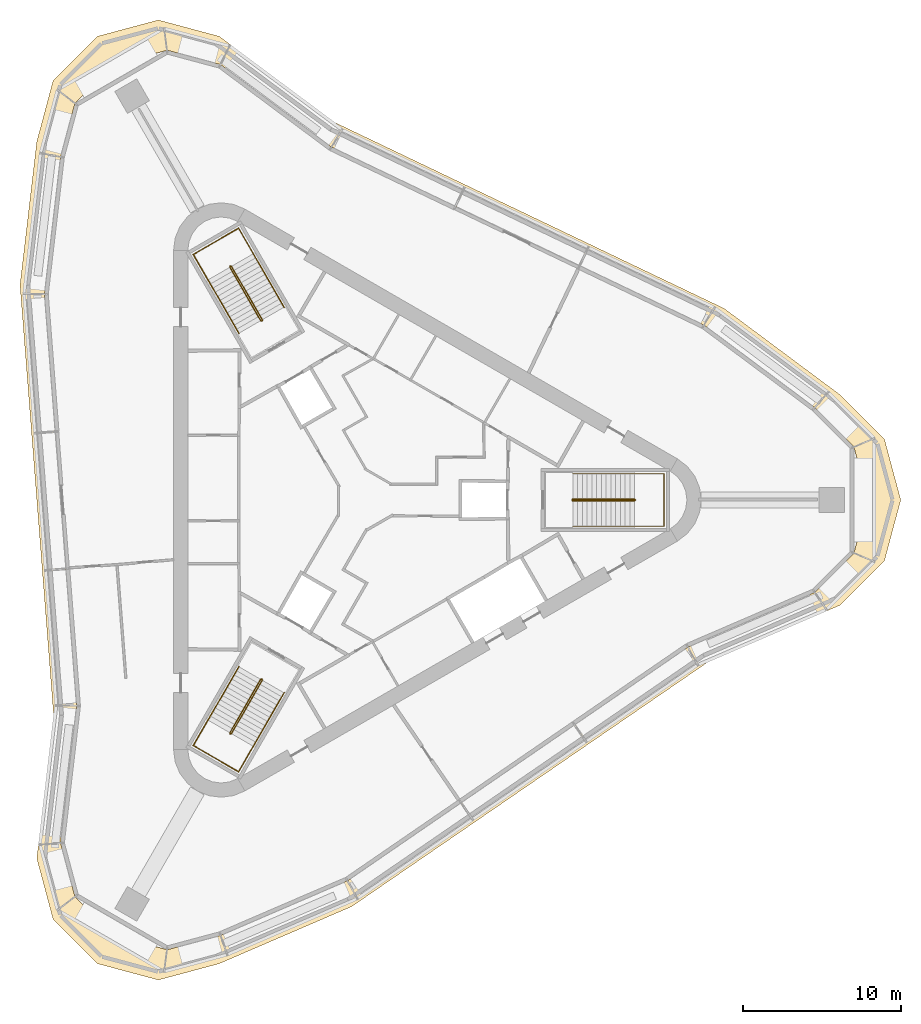
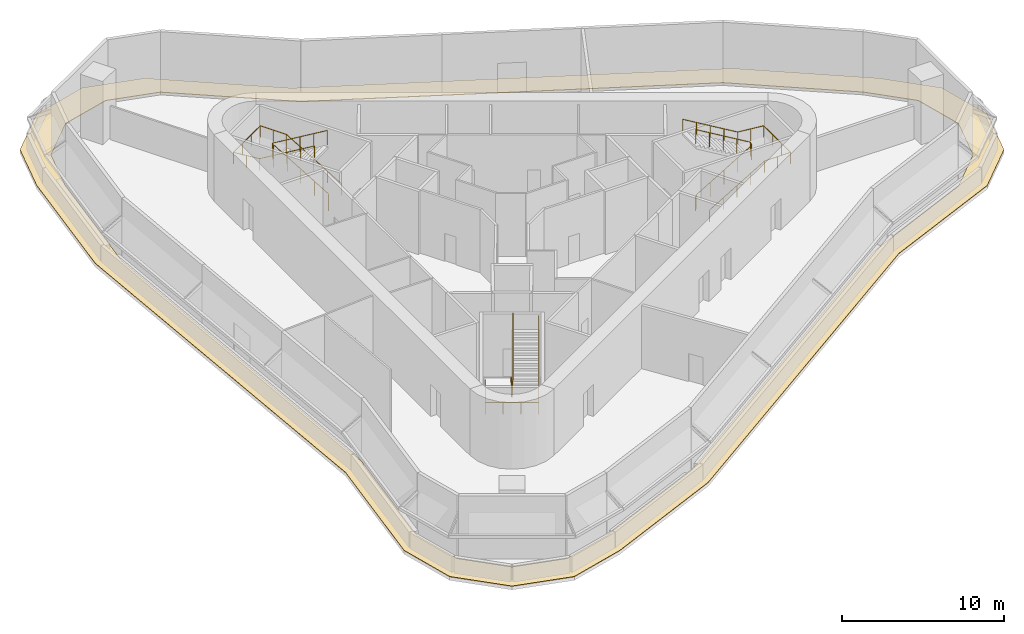
# One storey, part 8 of 8: 6 railings, 1 covering.
"""IFC4 building model written with IfcOpenShell, lengths in metres."""

from ifc_helpers import new_model, si_unit, direction, frame, origin, origin_2d, place, context, subcontext, project, spatial, polyline, circle, outline, extrude, material, layer, layer_set, type_object, element, save


model = new_model("IFC4")

# Units and contexts
model_context = context("Model", 3, precision=1e-05, world=origin(), true_north=direction((0.0, 1.0)))
body_context = subcontext(model_context, "Body", "Model", "MODEL_VIEW")
ifc_project = project(units=[si_unit("LENGTHUNIT", "METRE"), si_unit("AREAUNIT", "SQUARE_METRE"), si_unit("VOLUMEUNIT", "CUBIC_METRE"), si_unit("PLANEANGLEUNIT", "RADIAN"), si_unit("MASSUNIT", "GRAM", prefix="KILO")], contexts=[model_context])

# Site, building, storey
site_placement = place(None, origin())
site = spatial("IfcSite", under=ifc_project, at=site_placement, CompositionType="ELEMENT")
building_placement = place(site_placement, origin())
building = spatial("IfcBuilding", under=site, at=building_placement, Name="Tanit Gate Tower", CompositionType="ELEMENT")
storey_placement = place(building_placement, frame((0.0, 0.0, 410.300048828125)))
storey = spatial("IfcBuildingStorey", under=building, at=storey_placement, Name="L93", CompositionType="ELEMENT", Elevation=410.300048828125)

# Railings
ifc_material_1 = material(Name="Stainless steel balustrade", Category="steel")
railing_type_1 = type_object("IfcRailingType", Name="INT-STAIR-GUARD", PredefinedType="GUARDRAIL", material=ifc_material_1)
railing_1_placement = place(storey_placement, frame((13.044921875, 0.0048828125, 0.0)))
element("IfcRailing", 1, at=railing_1_placement, inside=storey, type_object=railing_type_1, Name="L93 S1 stair guard 1", PredefinedType="GUARDRAIL", context=body_context, shape_type="SweptSolid", body=[
    extrude(circle(Radius=0.02392578125, at=origin_2d()), frame((0.0, 0.0, 1.076171875), z_axis=(0.0, -1.0, 0.0), x_axis=(1.0, 0.0, 0.0)), (0.0, 0.0, 1.0), 0.009765625),
    extrude(circle(Radius=0.02392578125, at=origin_2d()), frame((0.0, -0.009765625, 1.076171875), z_axis=(0.260684529273, -0.260684529273, 0.929562882432), x_axis=(0.707106781187, 0.707106781187, 0.0)), (0.0, 0.0, 1.0), 0.19189453125),
    extrude(circle(Radius=0.02392578125, at=origin_2d()), frame((0.050048828125, -0.059814453125, 1.25439453125), z_axis=(0.859291195736, 0.0, 0.511486696729), x_axis=(0.0, 1.0, 0.0)), (0.0, 0.0, 1.0), 4.538818359375),
    extrude(circle(Radius=0.02392578125, at=origin_2d()), frame((3.9501953125, -0.059814453125, 3.576171875), z_axis=(0.705375805398, 0.708833529934, 0.0), x_axis=(-0.708833529934, 0.705375805398, 0.0)), (0.0, 0.0, 1.0), 0.070556640625),
    extrude(circle(Radius=0.02392578125, at=origin_2d()), frame((4.0, -0.009765625, 3.576171875), z_axis=(0.0, 1.0, 0.0), x_axis=(-1.0, 0.0, 0.0)), (0.0, 0.0, 1.0), 0.009765625),
    extrude(circle(Radius=0.02392578125, at=origin_2d()), frame((4.0, 0.0, 3.576171875), z_axis=(-0.25949872427, 0.26077077684, 0.929870428634), x_axis=(-0.708833529934, -0.705375805398, 0.0)), (0.0, 0.0, 1.0), 0.19189453125),
    extrude(circle(Radius=0.02392578125, at=origin_2d()), frame((3.9501953125, 0.050048828125, 3.75439453125), z_axis=(-0.859291195736, 0.0, 0.511486696729), x_axis=(0.0, -1.0, 0.0)), (0.0, 0.0, 1.0), 4.538818359375),
    extrude(circle(Radius=0.02099609375, at=origin_2d()), origin(), (0.0, 0.0, 1.0), 1.052001953125),
    extrude(circle(Radius=0.02099609375, at=origin_2d()), frame((0.0, -0.009765625, 0.0)), (0.0, 0.0, 1.0), 1.052001953125),
    extrude(circle(Radius=0.02099609375, at=origin_2d()), frame((0.050048828125, -0.059814453125, 0.178466796875)), (0.0, 0.0, 1.0), 1.052001953125),
    extrude(circle(Radius=0.02099609375, at=origin_2d()), frame((1.025146484375, -0.059814453125, 0.7587890625)), (0.0, 0.0, 1.0), 1.052001953125),
    extrude(circle(Radius=0.02099609375, at=origin_2d()), frame((2.0, -0.059814453125, 1.33935546875)), (0.0, 0.0, 1.0), 1.052001953125),
    extrude(circle(Radius=0.02099609375, at=origin_2d()), frame((2.97509765625, -0.059814453125, 1.919677734375)), (0.0, 0.0, 1.0), 1.052001953125),
    extrude(circle(Radius=0.02099609375, at=origin_2d()), frame((3.9501953125, -0.059814453125, 2.5)), (0.0, 0.0, 1.0), 1.052001953125),
    extrude(circle(Radius=0.02099609375, at=origin_2d()), frame((4.0, -0.009765625, 2.5)), (0.0, 0.0, 1.0), 1.052001953125),
    extrude(circle(Radius=0.02099609375, at=origin_2d()), frame((4.0, 0.0, 2.5)), (0.0, 0.0, 1.0), 1.052001953125),
    extrude(circle(Radius=0.02099609375, at=origin_2d()), frame((3.9501953125, 0.050048828125, 2.678466796875)), (0.0, 0.0, 1.0), 1.052001953125),
    extrude(circle(Radius=0.02099609375, at=origin_2d()), frame((2.97509765625, 0.050048828125, 3.2587890625)), (0.0, 0.0, 1.0), 1.052001953125),
    extrude(circle(Radius=0.02099609375, at=origin_2d()), frame((2.0, 0.050048828125, 3.83935546875)), (0.0, 0.0, 1.0), 1.052001953125),
    extrude(circle(Radius=0.02099609375, at=origin_2d()), frame((1.025146484375, 0.050048828125, 4.419677734375)), (0.0, 0.0, 1.0), 1.052001953125),
    extrude(circle(Radius=0.02099609375, at=origin_2d()), frame((0.050048828125, 0.050048828125, 5.0)), (0.0, 0.0, 1.0), 1.052001953125),
])
railing_2_placement = place(storey_placement, frame((-6.527099609375, 11.29345703125, 0.0)))
element("IfcRailing", 2, at=railing_2_placement, inside=storey, type_object=railing_type_1, Name="L93 S2 stair guard 1", PredefinedType="GUARDRAIL", context=body_context, shape_type="SweptSolid", body=[
    extrude(circle(Radius=0.02392578125, at=origin_2d()), frame((0.0, 0.0, 1.076171875), z_axis=(0.868243142124, 0.496138938357, 0.0), x_axis=(-0.496138938357, 0.868243142124, 0.0)), (0.0, 0.0, 1.0), 0.01171875),
    extrude(circle(Radius=0.02392578125, at=origin_2d()), frame((0.01025390625, 0.005859375, 1.076171875), z_axis=(0.095374316588, 0.356064115262, 0.929581672344), x_axis=(-0.965948051503, 0.258736085224, 0.0)), (0.0, 0.0, 1.0), 0.19189453125),
    extrude(circle(Radius=0.02392578125, at=origin_2d()), frame((0.028564453125, 0.07421875, 1.25439453125), z_axis=(-0.429636665928, 0.744158462057, 0.511508082673), x_axis=(-0.866027128446, -0.499997012787, 0.0)), (0.0, 0.0, 1.0), 4.53857421875),
    extrude(circle(Radius=0.02392578125, at=origin_2d()), frame((-1.92138671875, 3.45166015625, 3.576171875), z_axis=(-0.965948051503, 0.258736085224, 0.0), x_axis=(-0.258736085224, -0.965948051503, 0.0)), (0.0, 0.0, 1.0), 0.07080078125),
    extrude(circle(Radius=0.02392578125, at=origin_2d()), frame((-1.98974609375, 3.469970703125, 3.576171875), z_axis=(-0.868243142124, -0.496138938357, 0.0), x_axis=(0.496138938357, -0.868243142124, 0.0)), (0.0, 0.0, 1.0), 0.01171875),
    extrude(circle(Radius=0.02392578125, at=origin_2d()), frame((-2.0, 3.464111328125, 3.576171875), z_axis=(-0.095374316588, -0.356064115262, 0.929581672344), x_axis=(0.965948051503, -0.258736085224, 0.0)), (0.0, 0.0, 1.0), 0.19189453125),
    extrude(circle(Radius=0.02392578125, at=origin_2d()), frame((-2.018310546875, 3.395751953125, 3.75439453125), z_axis=(0.429636665928, -0.744158462057, 0.511508082673), x_axis=(0.866027128446, 0.499997012787, 0.0)), (0.0, 0.0, 1.0), 4.53857421875),
    extrude(circle(Radius=0.02099609375, at=origin_2d()), origin(), (0.0, 0.0, 1.0), 1.052001953125),
    extrude(circle(Radius=0.02099609375, at=origin_2d()), frame((0.01025390625, 0.005859375, 0.0)), (0.0, 0.0, 1.0), 1.052001953125),
    extrude(circle(Radius=0.02099609375, at=origin_2d()), frame((0.028564453125, 0.07421875, 0.178466796875)), (0.0, 0.0, 1.0), 1.052001953125),
    extrude(circle(Radius=0.02099609375, at=origin_2d()), frame((-0.458984375, 0.91845703125, 0.7587890625)), (0.0, 0.0, 1.0), 1.052001953125),
    extrude(circle(Radius=0.02099609375, at=origin_2d()), frame((-0.9462890625, 1.762939453125, 1.33935546875)), (0.0, 0.0, 1.0), 1.052001953125),
    extrude(circle(Radius=0.02099609375, at=origin_2d()), frame((-1.433837890625, 2.607421875, 1.919677734375)), (0.0, 0.0, 1.0), 1.052001953125),
    extrude(circle(Radius=0.02099609375, at=origin_2d()), frame((-1.92138671875, 3.45166015625, 2.5)), (0.0, 0.0, 1.0), 1.052001953125),
    extrude(circle(Radius=0.02099609375, at=origin_2d()), frame((-1.98974609375, 3.469970703125, 2.5)), (0.0, 0.0, 1.0), 1.052001953125),
    extrude(circle(Radius=0.02099609375, at=origin_2d()), frame((-2.0, 3.464111328125, 2.5)), (0.0, 0.0, 1.0), 1.052001953125),
    extrude(circle(Radius=0.02099609375, at=origin_2d()), frame((-2.018310546875, 3.395751953125, 2.678466796875)), (0.0, 0.0, 1.0), 1.052001953125),
    extrude(circle(Radius=0.02099609375, at=origin_2d()), frame((-1.53076171875, 2.55126953125, 3.2587890625)), (0.0, 0.0, 1.0), 1.052001953125),
    extrude(circle(Radius=0.02099609375, at=origin_2d()), frame((-1.04345703125, 1.70703125, 3.83935546875)), (0.0, 0.0, 1.0), 1.052001953125),
    extrude(circle(Radius=0.02099609375, at=origin_2d()), frame((-0.555908203125, 0.86279296875, 4.419677734375)), (0.0, 0.0, 1.0), 1.052001953125),
    extrude(circle(Radius=0.02099609375, at=origin_2d()), frame((-0.068359375, 0.018310546875, 5.0)), (0.0, 0.0, 1.0), 1.052001953125),
])
railing_3_placement = place(storey_placement, frame((-6.51806640625, -11.2998046875, 0.0)))
element("IfcRailing", 3, at=railing_3_placement, inside=storey, type_object=railing_type_1, Name="L93 S3 stair guard 1", PredefinedType="GUARDRAIL", context=body_context, shape_type="SweptSolid", body=[
    extrude(circle(Radius=0.02392578125, at=origin_2d()), frame((0.0, 0.0, 1.076171875), z_axis=(-0.874157276122, 0.485642931179, 0.0), x_axis=(-0.485642931179, -0.874157276122, 0.0)), (0.0, 0.0, 1.0), 0.010009765625),
    extrude(circle(Radius=0.02392578125, at=origin_2d()), frame((-0.0087890625, 0.0048828125, 1.076171875), z_axis=(-0.356107019809, -0.094113998092, 0.929693683858), x_axis=(0.255512919477, -0.966805641264, 0.0)), (0.0, 0.0, 1.0), 0.19189453125),
    extrude(circle(Radius=0.02392578125, at=origin_2d()), frame((-0.0771484375, -0.01318359375, 1.25439453125), z_axis=(-0.429619468083, -0.74418246412, 0.511487607612), x_axis=(0.866042777325, -0.499969906938, 0.0)), (0.0, 0.0, 1.0), 4.538818359375),
    extrude(circle(Radius=0.02392578125, at=origin_2d()), frame((-2.027099609375, -3.390869140625, 3.576171875), z_axis=(0.259601060869, -0.965715946433, 0.0), x_axis=(0.965715946433, 0.259601060869, 0.0)), (0.0, 0.0, 1.0), 0.070556640625),
    extrude(circle(Radius=0.02392578125, at=origin_2d()), frame((-2.0087890625, -3.458984375, 3.576171875), z_axis=(0.863778900898, -0.503871025524, 0.0), x_axis=(0.503871025524, 0.863778900898, 0.0)), (0.0, 0.0, 1.0), 0.01025390625),
    extrude(circle(Radius=0.02392578125, at=origin_2d()), frame((-2.0, -3.464111328125, 3.576171875), z_axis=(0.354952926692, 0.095417453412, 0.930002112587), x_axis=(-0.259601060869, 0.965715946433, 0.0)), (0.0, 0.0, 1.0), 0.19189453125),
    extrude(circle(Radius=0.02392578125, at=origin_2d()), frame((-1.931884765625, -3.44580078125, 3.75439453125), z_axis=(0.429680527064, 0.74414126332, 0.511496260873), x_axis=(-0.866000020948, 0.500043961785, 0.0)), (0.0, 0.0, 1.0), 4.538818359375),
    extrude(circle(Radius=0.02099609375, at=origin_2d()), origin(), (0.0, 0.0, 1.0), 1.052001953125),
    extrude(circle(Radius=0.02099609375, at=origin_2d()), frame((-0.0087890625, 0.0048828125, 0.0)), (0.0, 0.0, 1.0), 1.052001953125),
    extrude(circle(Radius=0.02099609375, at=origin_2d()), frame((-0.0771484375, -0.01318359375, 0.178466796875)), (0.0, 0.0, 1.0), 1.052001953125),
    extrude(circle(Radius=0.02099609375, at=origin_2d()), frame((-0.564697265625, -0.857666015625, 0.7587890625)), (0.0, 0.0, 1.0), 1.052001953125),
    extrude(circle(Radius=0.02099609375, at=origin_2d()), frame((-1.05224609375, -1.7021484375, 1.33935546875)), (0.0, 0.0, 1.0), 1.052001953125),
    extrude(circle(Radius=0.02099609375, at=origin_2d()), frame((-1.53955078125, -2.54638671875, 1.919677734375)), (0.0, 0.0, 1.0), 1.052001953125),
    extrude(circle(Radius=0.02099609375, at=origin_2d()), frame((-2.027099609375, -3.390869140625, 2.5)), (0.0, 0.0, 1.0), 1.052001953125),
    extrude(circle(Radius=0.02099609375, at=origin_2d()), frame((-2.0087890625, -3.458984375, 2.5)), (0.0, 0.0, 1.0), 1.052001953125),
    extrude(circle(Radius=0.02099609375, at=origin_2d()), frame((-2.0, -3.464111328125, 2.5)), (0.0, 0.0, 1.0), 1.052001953125),
    extrude(circle(Radius=0.02099609375, at=origin_2d()), frame((-1.931884765625, -3.44580078125, 2.678466796875)), (0.0, 0.0, 1.0), 1.052001953125),
    extrude(circle(Radius=0.02099609375, at=origin_2d()), frame((-1.4443359375, -2.6015625, 3.2587890625)), (0.0, 0.0, 1.0), 1.052001953125),
    extrude(circle(Radius=0.02099609375, at=origin_2d()), frame((-0.956787109375, -1.757080078125, 3.83935546875)), (0.0, 0.0, 1.0), 1.052001953125),
    extrude(circle(Radius=0.02099609375, at=origin_2d()), frame((-0.46923828125, -0.91259765625, 4.419677734375)), (0.0, 0.0, 1.0), 1.052001953125),
    extrude(circle(Radius=0.02099609375, at=origin_2d()), frame((0.018310546875, -0.068359375, 5.0)), (0.0, 0.0, 1.0), 1.052001953125),
])
ifc_material_2 = material(Name="Stainless steel handrail", Category="steel")
railing_type_2 = type_object("IfcRailingType", Name="INT-STAIR-HANDRAIL", PredefinedType="HANDRAIL", material=ifc_material_2)
railing_4_placement = place(storey_placement, frame((13.094970703125, -1.64990234375, 0.178466796875)))
element("IfcRailing", 4, at=railing_4_placement, inside=storey, type_object=railing_type_2, Name="L93 S1 stair handrail 1", PredefinedType="HANDRAIL", context=body_context, shape_type="SweptSolid", body=[
    extrude(circle(Radius=0.02392578125, at=origin_2d()), frame((0.0, 0.0, 0.8759765625), z_axis=(0.859291195736, 0.0, 0.511486696729), x_axis=(0.0, 1.0, 0.0)), (0.0, 0.0, 1.0), 4.538818359375),
    extrude(circle(Radius=0.02392578125, at=origin_2d()), frame((3.900146484375, 0.0, 3.197265625), z_axis=(1.0, 0.0, 0.0), x_axis=(0.0, 1.0, 0.0)), (0.0, 0.0, 1.0), 1.85498046875),
    extrude(circle(Radius=0.02392578125, at=origin_2d()), frame((5.755126953125, 0.0, 3.197265625), z_axis=(0.0, 1.0, 0.0), x_axis=(-1.0, 0.0, 0.0)), (0.0, 0.0, 1.0), 3.2998046875),
    extrude(circle(Radius=0.02392578125, at=origin_2d()), frame((5.755126953125, 3.2998046875, 3.197265625), z_axis=(-0.995403746914, 0.0, 0.09576732548), x_axis=(0.0, -1.0, 0.0)), (0.0, 0.0, 1.0), 1.863525390625),
    extrude(circle(Radius=0.02392578125, at=origin_2d()), frame((3.900146484375, 3.2998046875, 3.3759765625), z_axis=(-0.859291195736, 0.0, 0.511486696729), x_axis=(0.0, -1.0, 0.0)), (0.0, 0.0, 1.0), 4.538818359375),
    extrude(circle(Radius=0.02099609375, at=origin_2d()), origin(), (0.0, 0.0, 1.0), 0.851806640625),
    extrude(circle(Radius=0.02099609375, at=origin_2d()), frame((0.97509765625, 0.0, 0.580322265625)), (0.0, 0.0, 1.0), 0.851806640625),
    extrude(circle(Radius=0.02099609375, at=origin_2d()), frame((1.9501953125, 0.0, 1.16064453125)), (0.0, 0.0, 1.0), 0.851806640625),
    extrude(circle(Radius=0.02099609375, at=origin_2d()), frame((2.925048828125, 0.0, 1.7412109375)), (0.0, 0.0, 1.0), 0.851806640625),
    extrude(circle(Radius=0.02099609375, at=origin_2d()), frame((3.900146484375, 0.0, 2.321533203125)), (0.0, 0.0, 1.0), 0.851806640625),
    extrude(circle(Radius=0.02099609375, at=origin_2d()), frame((4.82763671875, 0.0, 2.321533203125)), (0.0, 0.0, 1.0), 0.851806640625),
    extrude(circle(Radius=0.02099609375, at=origin_2d()), frame((5.755126953125, 0.0, 2.321533203125)), (0.0, 0.0, 1.0), 0.851806640625),
    extrude(circle(Radius=0.02099609375, at=origin_2d()), frame((5.755126953125, 1.099853515625, 2.321533203125)), (0.0, 0.0, 1.0), 0.851806640625),
    extrude(circle(Radius=0.02099609375, at=origin_2d()), frame((5.755126953125, 2.199951171875, 2.321533203125)), (0.0, 0.0, 1.0), 0.851806640625),
    extrude(circle(Radius=0.02099609375, at=origin_2d()), frame((5.755126953125, 3.2998046875, 2.321533203125)), (0.0, 0.0, 1.0), 0.851806640625),
    extrude(circle(Radius=0.02099609375, at=origin_2d()), frame((4.82763671875, 3.2998046875, 2.41064453125)), (0.0, 0.0, 1.0), 0.851806640625),
    extrude(circle(Radius=0.02099609375, at=origin_2d()), frame((3.900146484375, 3.2998046875, 2.5)), (0.0, 0.0, 1.0), 0.851806640625),
    extrude(circle(Radius=0.02099609375, at=origin_2d()), frame((2.925048828125, 3.2998046875, 3.080322265625)), (0.0, 0.0, 1.0), 0.851806640625),
    extrude(circle(Radius=0.02099609375, at=origin_2d()), frame((1.9501953125, 3.2998046875, 3.66064453125)), (0.0, 0.0, 1.0), 0.851806640625),
    extrude(circle(Radius=0.02099609375, at=origin_2d()), frame((0.97509765625, 3.2998046875, 4.2412109375)), (0.0, 0.0, 1.0), 0.851806640625),
    extrude(circle(Radius=0.02099609375, at=origin_2d()), frame((0.0, 3.2998046875, 4.821533203125)), (0.0, 0.0, 1.0), 0.851806640625),
])
railing_5_placement = place(storey_placement, frame((-5.1181640625, 12.164794921875, 0.178466796875)))
element("IfcRailing", 5, at=railing_5_placement, inside=storey, type_object=railing_type_2, Name="L93 S2 stair handrail 1", PredefinedType="HANDRAIL", context=body_context, shape_type="SweptSolid", body=[
    extrude(circle(Radius=0.02392578125, at=origin_2d()), frame((0.0, 0.0, 0.8759765625), z_axis=(-0.429636665928, 0.744158462057, 0.511508082673), x_axis=(-0.866027128446, -0.499997012787, 0.0)), (0.0, 0.0, 1.0), 4.53857421875),
    extrude(circle(Radius=0.02392578125, at=origin_2d()), frame((-1.949951171875, 3.37744140625, 3.197265625), z_axis=(-0.499972951856, 0.866041019474, 0.0), x_axis=(-0.866041019474, -0.499972951856, 0.0)), (0.0, 0.0, 1.0), 1.85595703125),
    extrude(circle(Radius=0.02392578125, at=origin_2d()), frame((-2.8779296875, 4.98486328125, 3.197265625), z_axis=(-0.866008176907, -0.50002983664, 0.0), x_axis=(0.50002983664, -0.866008176907, 0.0)), (0.0, 0.0, 1.0), 3.300048828125),
    extrude(circle(Radius=0.02392578125, at=origin_2d()), frame((-5.73583984375, 3.334716796875, 3.197265625), z_axis=(0.497733776972, -0.862031426942, 0.095723070499), x_axis=(0.866008133109, 0.500029912494, 0.0)), (0.0, 0.0, 1.0), 1.864501953125),
    extrude(circle(Radius=0.02392578125, at=origin_2d()), frame((-4.807861328125, 1.7275390625, 3.3759765625), z_axis=(0.429663328258, -0.744165266205, 0.511475787231), x_axis=(0.866015672276, 0.500016855088, 0.0)), (0.0, 0.0, 1.0), 4.538818359375),
    extrude(circle(Radius=0.02099609375, at=origin_2d()), origin(), (0.0, 0.0, 1.0), 0.851806640625),
    extrude(circle(Radius=0.02099609375, at=origin_2d()), frame((-0.487548828125, 0.84423828125, 0.580322265625)), (0.0, 0.0, 1.0), 0.851806640625),
    extrude(circle(Radius=0.02099609375, at=origin_2d()), frame((-0.97509765625, 1.688720703125, 1.16064453125)), (0.0, 0.0, 1.0), 0.851806640625),
    extrude(circle(Radius=0.02099609375, at=origin_2d()), frame((-1.46240234375, 2.533203125, 1.7412109375)), (0.0, 0.0, 1.0), 0.851806640625),
    extrude(circle(Radius=0.02099609375, at=origin_2d()), frame((-1.949951171875, 3.37744140625, 2.321533203125)), (0.0, 0.0, 1.0), 0.851806640625),
    extrude(circle(Radius=0.02099609375, at=origin_2d()), frame((-2.4140625, 4.18115234375, 2.321533203125)), (0.0, 0.0, 1.0), 0.851806640625),
    extrude(circle(Radius=0.02099609375, at=origin_2d()), frame((-2.8779296875, 4.98486328125, 2.321533203125)), (0.0, 0.0, 1.0), 0.851806640625),
    extrude(circle(Radius=0.02099609375, at=origin_2d()), frame((-3.83056640625, 4.434814453125, 2.321533203125)), (0.0, 0.0, 1.0), 0.851806640625),
    extrude(circle(Radius=0.02099609375, at=origin_2d()), frame((-4.783203125, 3.884765625, 2.321533203125)), (0.0, 0.0, 1.0), 0.851806640625),
    extrude(circle(Radius=0.02099609375, at=origin_2d()), frame((-5.73583984375, 3.334716796875, 2.321533203125)), (0.0, 0.0, 1.0), 0.851806640625),
    extrude(circle(Radius=0.02099609375, at=origin_2d()), frame((-5.27197265625, 2.53125, 2.41064453125)), (0.0, 0.0, 1.0), 0.851806640625),
    extrude(circle(Radius=0.02099609375, at=origin_2d()), frame((-4.807861328125, 1.7275390625, 2.5)), (0.0, 0.0, 1.0), 0.851806640625),
    extrude(circle(Radius=0.02099609375, at=origin_2d()), frame((-4.3203125, 0.883056640625, 3.080322265625)), (0.0, 0.0, 1.0), 0.851806640625),
    extrude(circle(Radius=0.02099609375, at=origin_2d()), frame((-3.832763671875, 0.03857421875, 3.66064453125)), (0.0, 0.0, 1.0), 0.851806640625),
    extrude(circle(Radius=0.02099609375, at=origin_2d()), frame((-3.34521484375, -0.8056640625, 4.2412109375)), (0.0, 0.0, 1.0), 0.851806640625),
    extrude(circle(Radius=0.02099609375, at=origin_2d()), frame((-2.857666015625, -1.650146484375, 4.821533203125)), (0.0, 0.0, 1.0), 0.851806640625),
])
railing_6_placement = place(storey_placement, frame((-7.9765625, -10.515625, 0.178466796875)))
element("IfcRailing", 6, at=railing_6_placement, inside=storey, type_object=railing_type_2, Name="L93 S3 stair handrail 1", PredefinedType="HANDRAIL", context=body_context, shape_type="SweptSolid", body=[
    extrude(circle(Radius=0.02392578125, at=origin_2d()), frame((0.0, 0.0, 0.8759765625), z_axis=(-0.429636665928, -0.744158462057, 0.511508082673), x_axis=(0.866027128446, -0.499997012787, 0.0)), (0.0, 0.0, 1.0), 4.53857421875),
    extrude(circle(Radius=0.02392578125, at=origin_2d()), frame((-1.949951171875, -3.37744140625, 3.197265625), z_axis=(-0.500003477455, -0.866023396066, 0.0), x_axis=(0.866023396066, -0.500003477455, 0.0)), (0.0, 0.0, 1.0), 1.85498046875),
    extrude(circle(Radius=0.02392578125, at=origin_2d()), frame((-2.87744140625, -4.98388671875, 3.197265625), z_axis=(0.866008176907, -0.50002983664, 0.0), x_axis=(0.50002983664, 0.866008176907, 0.0)), (0.0, 0.0, 1.0), 3.300048828125),
    extrude(circle(Radius=0.02392578125, at=origin_2d()), frame((-0.01953125, -6.634033203125, 3.197265625), z_axis=(0.497705303182, 0.862042878372, 0.095767985424), x_axis=(-0.866023396066, 0.500003477455, 0.0)), (0.0, 0.0, 1.0), 1.863525390625),
    extrude(circle(Radius=0.02392578125, at=origin_2d()), frame((0.907958984375, -5.027587890625, 3.3759765625), z_axis=(0.429619468083, 0.74418246412, 0.511487607612), x_axis=(-0.866042777325, 0.499969906938, 0.0)), (0.0, 0.0, 1.0), 4.538818359375),
    extrude(circle(Radius=0.02099609375, at=origin_2d()), origin(), (0.0, 0.0, 1.0), 0.851806640625),
    extrude(circle(Radius=0.02099609375, at=origin_2d()), frame((-0.487548828125, -0.84423828125, 0.580322265625)), (0.0, 0.0, 1.0), 0.851806640625),
    extrude(circle(Radius=0.02099609375, at=origin_2d()), frame((-0.97509765625, -1.688720703125, 1.16064453125)), (0.0, 0.0, 1.0), 0.851806640625),
    extrude(circle(Radius=0.02099609375, at=origin_2d()), frame((-1.46240234375, -2.533203125, 1.7412109375)), (0.0, 0.0, 1.0), 0.851806640625),
    extrude(circle(Radius=0.02099609375, at=origin_2d()), frame((-1.949951171875, -3.37744140625, 2.321533203125)), (0.0, 0.0, 1.0), 0.851806640625),
    extrude(circle(Radius=0.02099609375, at=origin_2d()), frame((-2.41357421875, -4.1806640625, 2.321533203125)), (0.0, 0.0, 1.0), 0.851806640625),
    extrude(circle(Radius=0.02099609375, at=origin_2d()), frame((-2.87744140625, -4.98388671875, 2.321533203125)), (0.0, 0.0, 1.0), 0.851806640625),
    extrude(circle(Radius=0.02099609375, at=origin_2d()), frame((-1.9248046875, -5.533935546875, 2.321533203125)), (0.0, 0.0, 1.0), 0.851806640625),
    extrude(circle(Radius=0.02099609375, at=origin_2d()), frame((-0.97216796875, -6.083984375, 2.321533203125)), (0.0, 0.0, 1.0), 0.851806640625),
    extrude(circle(Radius=0.02099609375, at=origin_2d()), frame((-0.01953125, -6.634033203125, 2.321533203125)), (0.0, 0.0, 1.0), 0.851806640625),
    extrude(circle(Radius=0.02099609375, at=origin_2d()), frame((0.4443359375, -5.830810546875, 2.41064453125)), (0.0, 0.0, 1.0), 0.851806640625),
    extrude(circle(Radius=0.02099609375, at=origin_2d()), frame((0.907958984375, -5.027587890625, 2.5)), (0.0, 0.0, 1.0), 0.851806640625),
    extrude(circle(Radius=0.02099609375, at=origin_2d()), frame((1.3955078125, -4.18310546875, 3.080322265625)), (0.0, 0.0, 1.0), 0.851806640625),
    extrude(circle(Radius=0.02099609375, at=origin_2d()), frame((1.8828125, -3.3388671875, 3.66064453125)), (0.0, 0.0, 1.0), 0.851806640625),
    extrude(circle(Radius=0.02099609375, at=origin_2d()), frame((2.370361328125, -2.494384765625, 4.2412109375)), (0.0, 0.0, 1.0), 0.851806640625),
    extrude(circle(Radius=0.02099609375, at=origin_2d()), frame((2.85791015625, -1.64990234375, 4.821533203125)), (0.0, 0.0, 1.0), 0.851806640625),
])

# Covering
ifc_material_3 = material(Name="Stone paving", Category="masonry")
ifc_layer = layer(ifc_material_3, 0.0400390625)
ifc_layer_set = layer_set([ifc_layer], Name="Terrace deck paving 40")
covering_type = type_object("IfcCoveringType", Name="Terrace deck paving 40", PredefinedType="FLOORING", material=ifc_layer_set)
covering_placement = place(storey_placement, origin())
element("IfcCovering", 7, at=covering_placement, inside=storey, type_object=covering_type, Name="Terrace deck paving L93", PredefinedType="FLOORING", context=body_context, shape_type="SweptSolid", body=[
    extrude(outline(polyline([(32.767822265625, 3.836181640625), (33.795654296875, 0.0), (32.767822265625, -3.836181640625), (29.959716796875, -6.644287109375), (21.5927734375, -10.251220703125), (-0.858642578125, -25.6611328125), (-9.2255859375, -29.26806640625), (-13.061767578125, -30.2958984375), (-16.89794921875, -29.26806640625), (-19.7060546875, -26.459716796875), (-20.73388671875, -22.62353515625), (-19.674072265625, -13.57421875), (-21.793701171875, 13.57421875), (-20.73388671875, 22.62353515625), (-19.7060546875, 26.459716796875), (-16.89794921875, 29.26806640625), (-13.061767578125, 30.2958984375), (-9.2255859375, 29.26806640625), (-1.91845703125, 23.825439453125), (22.652587890625, 12.0869140625), (29.959716796875, 6.644287109375), (32.767822265625, 3.836181640625)]), holes=[polyline([(21.3759765625, 11.039306640625), (-2.14208984375, 22.27490234375), (-9.13623046875, 27.484130859375), (-12.502197265625, 28.38623046875), (-15.867919921875, 27.484130859375), (-18.33203125, 25.020263671875), (-19.23388671875, 21.654296875), (-20.248291015625, 12.992431640625), (-18.219482421875, -12.992431640625), (-19.23388671875, -21.654296875), (-18.33203125, -25.020263671875), (-15.867919921875, -27.484130859375), (-12.502197265625, -28.38623046875), (-9.13623046875, -27.484130859375), (-1.127685546875, -24.031982421875), (20.361572265625, -9.2822265625), (28.3701171875, -5.830078125), (30.834228515625, -3.365966796875), (31.736083984375, 0.0), (30.834228515625, 3.365966796875), (28.3701171875, 5.830078125), (21.3759765625, 11.039306640625)])]), origin(), (0.0, 0.0, 1.0), 0.0400390625),
])

save(model, "model.ifc")
